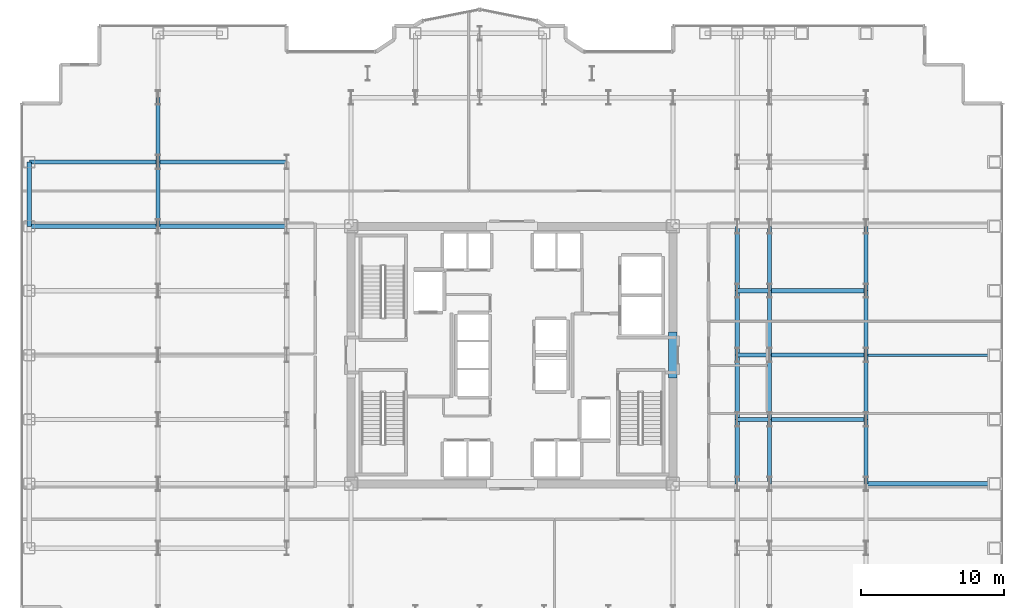
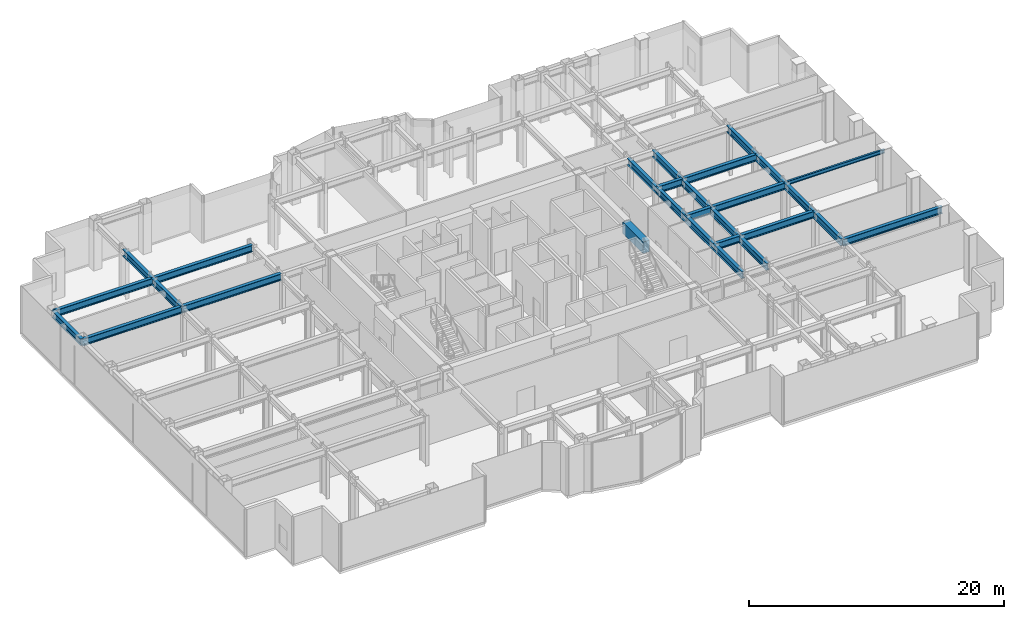
# One storey, part 8 of 27: 28 beams.
"""IFC4 building model written with IfcOpenShell, lengths in metres."""

from ifc_helpers import new_model, si_unit, direction, frame, origin, origin_2d, place, context, subcontext, project, spatial, rectangle, i_section, extrude, source, transform, mapped, material, material_profile, profile_set, type_object, element, save


model = new_model("IFC4")

# Units and contexts
model_context = context("Model", 3, precision=1e-05, world=origin(), true_north=direction((0.0, 1.0)))
body_context = subcontext(model_context, "Body", "Model", "MODEL_VIEW")
ifc_project = project(units=[si_unit("LENGTHUNIT", "METRE"), si_unit("AREAUNIT", "SQUARE_METRE"), si_unit("VOLUMEUNIT", "CUBIC_METRE"), si_unit("PLANEANGLEUNIT", "RADIAN"), si_unit("MASSUNIT", "GRAM", prefix="KILO")], contexts=[model_context])

# Site, building, storey
site_placement = place(None, origin())
site = spatial("IfcSite", under=ifc_project, at=site_placement, CompositionType="ELEMENT")
building_placement = place(site_placement, origin())
building = spatial("IfcBuilding", under=site, at=building_placement, Name="Nefas-Gora Pilgrimage Tower", CompositionType="ELEMENT")
storey_placement = place(building_placement, frame((0.0, 0.0, 144.0)))
storey = spatial("IfcBuildingStorey", under=building, at=storey_placement, Name="L35", CompositionType="ELEMENT", Elevation=144.0)

# Beams
ifc_material_1 = material(Name="Concrete C60/75", Category="concrete")
ifc_material_profile_1 = material_profile(ifc_material_1, rectangle(XDim=0.60009765625, YDim=1.10009765625, at=origin_2d()), Name="RC 600x1100")
ifc_profile_set_1 = profile_set([ifc_material_profile_1], Name="Concrete C60/75")
beam_type_1 = type_object("IfcBeamType", Name="BM-LIN-RC1100", PredefinedType="LINTEL", material=ifc_profile_set_1)
shared_shape_1 = source(origin(), body_context, "Body", "SweptSolid", [
    extrude(rectangle(XDim=0.60009765625, YDim=1.10009765625, at=origin_2d()), origin(), (0.0, 0.0, 1.0), 3.2001953125),
])
beam_1_placement = place(storey_placement, frame((11.25, -1.60009765625, 4.0), z_axis=(0.0, 1.0, 0.0), x_axis=(-1.0, 0.0, 0.0)))
element("IfcBeam", 1, at=beam_1_placement, inside=storey, type_object=beam_type_1, Name="L35 Core Coupling Lintel Beam E", PredefinedType="LINTEL", context=body_context, shape_type="MappedRepresentation", body=[
    mapped(shared_shape_1, transform((0.0, 0.0, 0.0), x_axis=(1.0, 0.0, 0.0), y_axis=(0.0, 1.0, 0.0), z_axis=(0.0, 0.0, 1.0), scale=1.0)),
])
ifc_material_2 = material(Name="Steel S355", Category="steel")
ifc_material_profile_2 = material_profile(ifc_material_2, i_section(OverallWidth=0.300048828125, OverallDepth=0.64990234375, WebThickness=0.01611328125, FlangeThickness=0.031005859375, FilletRadius=0.027099609375, at=origin_2d()), Name="HEB 650")
ifc_profile_set_2 = profile_set([ifc_material_profile_2], Name="Steel S355")
beam_type_2 = type_object("IfcBeamType", Name="BM-SPN-HEB500", PredefinedType="SPANDREL", material=ifc_profile_set_2)
shared_shape_2 = source(origin(), body_context, "Body", "SweptSolid", [
    extrude(i_section(OverallWidth=0.300048828125, OverallDepth=0.64990234375, WebThickness=0.01611328125, FlangeThickness=0.031005859375, FilletRadius=0.027099609375, at=origin_2d()), origin(), (0.0, 0.0, 1.0), 4.5),
])
beam_2_placement = place(storey_placement, frame((-33.75, 9.0, 4.22509765625), z_axis=(0.0, 1.0, 0.0), x_axis=(-1.0, 0.0, 0.0)))
element("IfcBeam", 2, at=beam_2_placement, inside=storey, type_object=beam_type_2, Name="L35 SP-02 beam", PredefinedType="SPANDREL", context=body_context, shape_type="MappedRepresentation", body=[
    mapped(shared_shape_2, transform((0.0, 0.0, 0.0), x_axis=(1.0, 0.0, 0.0), y_axis=(0.0, 1.0, 0.0), z_axis=(0.0, 0.0, 1.0), scale=1.0)),
])
ifc_material_profile_3 = material_profile(ifc_material_2, i_section(OverallWidth=0.300048828125, OverallDepth=0.64990234375, WebThickness=0.01611328125, FlangeThickness=0.031005859375, FilletRadius=0.027099609375, at=origin_2d()), Name="HEB 650")
ifc_profile_set_3 = profile_set([ifc_material_profile_3], Name="Steel S355")
beam_type_3 = type_object("IfcBeamType", Name="BM-GIR-HEB650", PredefinedType="BEAM", material=ifc_profile_set_3)
shared_shape_3 = source(origin(), body_context, "Body", "SweptSolid", [
    extrude(i_section(OverallWidth=0.300048828125, OverallDepth=0.64990234375, WebThickness=0.01611328125, FlangeThickness=0.031005859375, FilletRadius=0.027099609375, at=origin_2d()), origin(), (0.0, 0.0, 1.0), 9.0),
])
for number, where, z_axis, x_axis, name in (
    (3, (-33.75, 9.0, 4.22509765625), (1.0, 0.0, 0.0), (0.0, 1.0, 0.0), "L35 G-03 beam"),
    (4, (-33.75, 13.5, 4.22509765625), (1.0, 0.0, 0.0), (0.0, 1.0, 0.0), "L35 G-03 beam"),
    (5, (-24.75, 9.0, 4.22509765625), (1.0, 0.0, 0.0), (0.0, 1.0, 0.0), "L35 G-03 beam"),
    (6, (-24.75, 13.5, 4.22509765625), (1.0, 0.0, 0.0), (0.0, 1.0, 0.0), "L35 G-03 beam"),
    (7, (24.75, -9.0, 4.22509765625), (1.0, 0.0, 0.0), (0.0, 1.0, 0.0), "L35 G-03 beam"),
):
    element("IfcBeam", number, at=place(storey_placement, frame(where, z_axis=z_axis, x_axis=x_axis)), inside=storey, type_object=beam_type_3, Name=name, PredefinedType="BEAM", context=body_context, shape_type="MappedRepresentation", body=[
        mapped(shared_shape_3, transform((0.0, 0.0, 0.0), x_axis=(1.0, 0.0, 0.0), y_axis=(0.0, 1.0, 0.0), z_axis=(0.0, 0.0, 1.0), scale=1.0)),
    ])
shared_shape_4 = source(origin(), body_context, "Body", "SweptSolid", [
    extrude(i_section(OverallWidth=0.300048828125, OverallDepth=0.64990234375, WebThickness=0.01611328125, FlangeThickness=0.031005859375, FilletRadius=0.027099609375, at=origin_2d()), origin(), (0.0, 0.0, 1.0), 4.5),
])
for number, where, z_axis, x_axis, name in (
    (8, (-24.75, 9.0, 4.22509765625), (0.0, 1.0, 0.0), (-1.0, 0.0, 0.0), "L35 G-03 beam"),
    (9, (-24.75, 13.5, 4.22509765625), (0.0, 1.0, 0.0), (-1.0, 0.0, 0.0), "L35 G-03 beam"),
    (10, (15.75, -9.0, 4.22509765625), (0.0, 1.0, 0.0), (-1.0, 0.0, 0.0), "L35 G-03 beam"),
    (11, (15.75, -4.5, 4.22509765625), (0.0, 1.0, 0.0), (-1.0, 0.0, 0.0), "L35 G-03 beam"),
    (12, (15.75, 0.0, 4.22509765625), (0.0, 1.0, 0.0), (-1.0, 0.0, 0.0), "L35 G-03 beam"),
    (13, (15.75, 4.5, 4.22509765625), (0.0, 1.0, 0.0), (-1.0, 0.0, 0.0), "L35 G-03 beam"),
    (14, (18.0, -9.0, 4.22509765625), (0.0, 1.0, 0.0), (-1.0, 0.0, 0.0), "L35 G-03 beam"),
    (15, (18.0, -4.5, 4.22509765625), (0.0, 1.0, 0.0), (-1.0, 0.0, 0.0), "L35 G-03 beam"),
    (16, (18.0, 0.0, 4.22509765625), (0.0, 1.0, 0.0), (-1.0, 0.0, 0.0), "L35 G-03 beam"),
    (17, (18.0, 4.5, 4.22509765625), (0.0, 1.0, 0.0), (-1.0, 0.0, 0.0), "L35 G-03 beam"),
    (18, (24.75, -9.0, 4.22509765625), (0.0, 1.0, 0.0), (-1.0, 0.0, 0.0), "L35 G-03 beam"),
    (19, (24.75, -4.5, 4.22509765625), (0.0, 1.0, 0.0), (-1.0, 0.0, 0.0), "L35 G-03 beam"),
    (20, (24.75, 0.0, 4.22509765625), (0.0, 1.0, 0.0), (-1.0, 0.0, 0.0), "L35 G-03 beam"),
    (21, (24.75, 4.5, 4.22509765625), (0.0, 1.0, 0.0), (-1.0, 0.0, 0.0), "L35 G-03 beam"),
):
    element("IfcBeam", number, at=place(storey_placement, frame(where, z_axis=z_axis, x_axis=x_axis)), inside=storey, type_object=beam_type_3, Name=name, PredefinedType="BEAM", context=body_context, shape_type="MappedRepresentation", body=[
        mapped(shared_shape_4, transform((0.0, 0.0, 0.0), x_axis=(1.0, 0.0, 0.0), y_axis=(0.0, 1.0, 0.0), z_axis=(0.0, 0.0, 1.0), scale=1.0)),
    ])
shared_shape_5 = source(origin(), body_context, "Body", "SweptSolid", [
    extrude(i_section(OverallWidth=0.300048828125, OverallDepth=0.64990234375, WebThickness=0.01611328125, FlangeThickness=0.031005859375, FilletRadius=0.027099609375, at=origin_2d()), origin(), (0.0, 0.0, 1.0), 6.75),
])
for number, where, z_axis, x_axis, name in (
    (22, (18.0, -4.5, 4.22509765625), (1.0, 0.0, 0.0), (0.0, 1.0, 0.0), "L35 G-03 beam"),
    (23, (18.0, 0.0, 4.22509765625), (1.0, 0.0, 0.0), (0.0, 1.0, 0.0), "L35 G-03 beam"),
    (24, (18.0, 4.5, 4.22509765625), (1.0, 0.0, 0.0), (0.0, 1.0, 0.0), "L35 G-03 beam"),
):
    element("IfcBeam", number, at=place(storey_placement, frame(where, z_axis=z_axis, x_axis=x_axis)), inside=storey, type_object=beam_type_3, Name=name, PredefinedType="BEAM", context=body_context, shape_type="MappedRepresentation", body=[
        mapped(shared_shape_5, transform((0.0, 0.0, 0.0), x_axis=(1.0, 0.0, 0.0), y_axis=(0.0, 1.0, 0.0), z_axis=(0.0, 0.0, 1.0), scale=1.0)),
    ])
shared_shape_6 = source(origin(), body_context, "Body", "SweptSolid", [
    extrude(i_section(OverallWidth=0.300048828125, OverallDepth=0.64990234375, WebThickness=0.01611328125, FlangeThickness=0.031005859375, FilletRadius=0.027099609375, at=origin_2d()), origin(), (0.0, 0.0, 1.0), 2.25),
])
for number, where, z_axis, x_axis, name in (
    (25, (15.75, -4.5, 4.22509765625), (1.0, 0.0, 0.0), (0.0, 1.0, 0.0), "L35 G-03 beam"),
    (26, (15.75, 0.0, 4.22509765625), (1.0, 0.0, 0.0), (0.0, 1.0, 0.0), "L35 G-03 beam"),
    (27, (15.75, 4.5, 4.22509765625), (1.0, 0.0, 0.0), (0.0, 1.0, 0.0), "L35 G-03 beam"),
):
    element("IfcBeam", number, at=place(storey_placement, frame(where, z_axis=z_axis, x_axis=x_axis)), inside=storey, type_object=beam_type_3, Name=name, PredefinedType="BEAM", context=body_context, shape_type="MappedRepresentation", body=[
        mapped(shared_shape_6, transform((0.0, 0.0, 0.0), x_axis=(1.0, 0.0, 0.0), y_axis=(0.0, 1.0, 0.0), z_axis=(0.0, 0.0, 1.0), scale=1.0)),
    ])
ifc_material_profile_4 = material_profile(ifc_material_2, i_section(OverallWidth=0.169921875, OverallDepth=0.360107421875, WebThickness=0.008056640625, FlangeThickness=0.0126953125, FilletRadius=0.01806640625, at=origin_2d()), Name="IPE 360")
ifc_profile_set_4 = profile_set([ifc_material_profile_4], Name="Steel S355")
beam_type_4 = type_object("IfcBeamType", Name="BM-JST-IPE360", PredefinedType="JOIST", material=ifc_profile_set_4)
shared_shape_7 = source(origin(), body_context, "Body", "SweptSolid", [
    extrude(i_section(OverallWidth=0.169921875, OverallDepth=0.360107421875, WebThickness=0.008056640625, FlangeThickness=0.0126953125, FilletRadius=0.01806640625, at=origin_2d()), origin(), (0.0, 0.0, 1.0), 9.0),
])
beam_3_placement = place(storey_placement, frame((24.75, 0.0, 4.3701171875), z_axis=(1.0, 0.0, 0.0), x_axis=(0.0, 1.0, 0.0)))
element("IfcBeam", 28, at=beam_3_placement, inside=storey, type_object=beam_type_4, Name="L35 J-03 beam", PredefinedType="JOIST", context=body_context, shape_type="MappedRepresentation", body=[
    mapped(shared_shape_7, transform((0.0, 0.0, 0.0), x_axis=(1.0, 0.0, 0.0), y_axis=(0.0, 1.0, 0.0), z_axis=(0.0, 0.0, 1.0), scale=1.0)),
])

save(model, "model.ifc")
